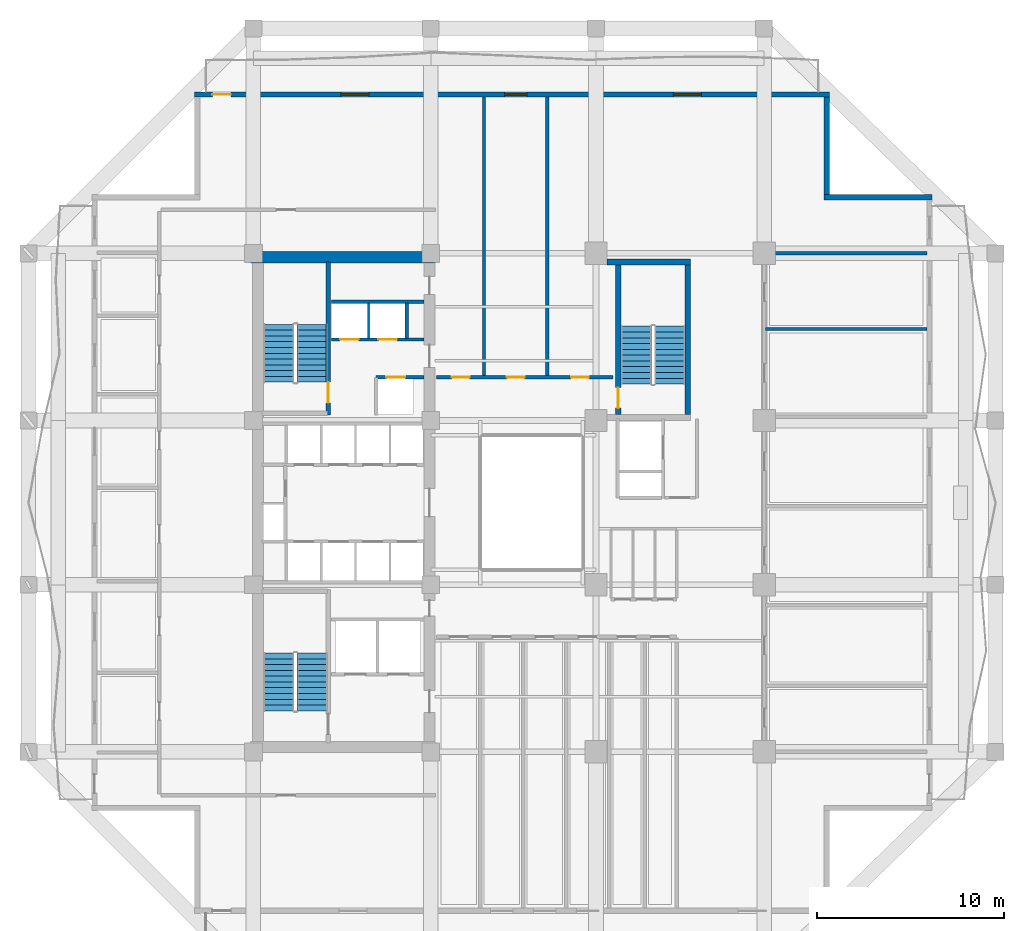
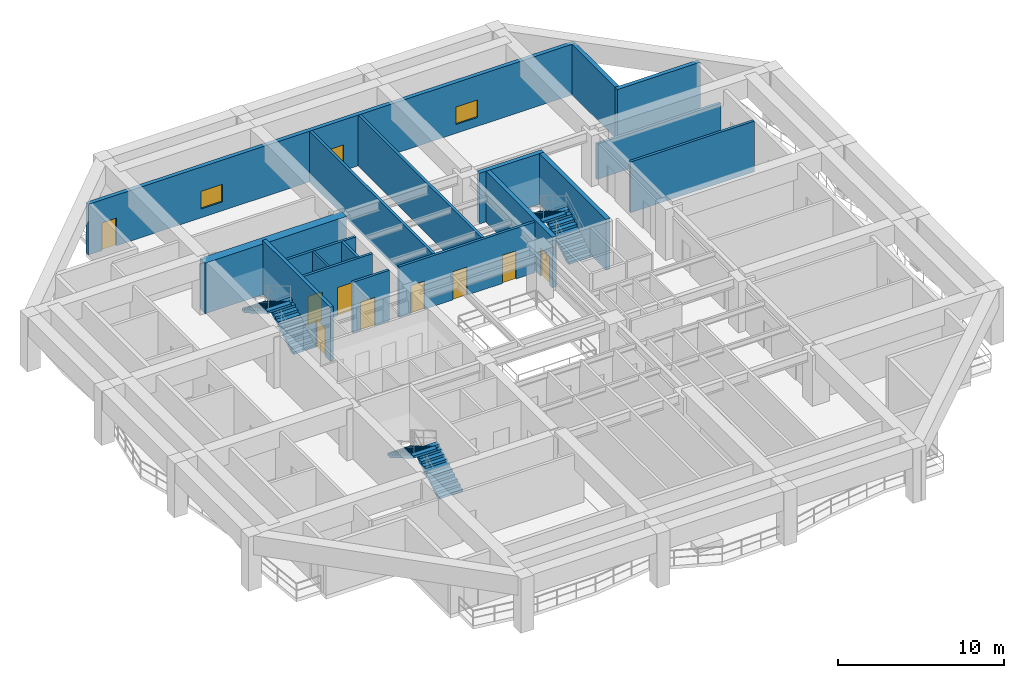
# One storey, part 6 of 13: 18 walls, 9 doors, 6 stair flights, 3 windows, 12 openings, 3 elements without a shape of their own.
"""IFC4 building model written with IfcOpenShell, lengths in metres."""

from ifc_helpers import new_model, si_unit, direction, frame, frame_2d, origin, place, context, subcontext, project, spatial, polyline, rectangle, outline, extrude, material, layer, layer_set, type_object, element, fill, aggregate, save


model = new_model("IFC4")

# Units and contexts
model_context = context("Model", 3, precision=1e-05, world=origin(), true_north=direction((0.0, 1.0)))
body_context = subcontext(model_context, "Body", "Model", "MODEL_VIEW")
ifc_project = project(units=[si_unit("LENGTHUNIT", "METRE"), si_unit("AREAUNIT", "SQUARE_METRE"), si_unit("VOLUMEUNIT", "CUBIC_METRE"), si_unit("PLANEANGLEUNIT", "RADIAN"), si_unit("MASSUNIT", "GRAM", prefix="KILO")], contexts=[model_context])

# Site, building, storey
site_placement = place(None, origin())
site = spatial("IfcSite", under=ifc_project, at=site_placement, CompositionType="ELEMENT")
building_placement = place(site_placement, origin())
building = spatial("IfcBuilding", under=site, at=building_placement, Name="Kundavana Baori Tower", CompositionType="ELEMENT")
storey_placement = place(building_placement, frame((0.0, 0.0, 78.0)))
storey = spatial("IfcBuildingStorey", under=building, at=storey_placement, Name="L18", CompositionType="ELEMENT", Elevation=78.0)

# Wall, opening, door
ifc_material_1 = material(Name="Concrete C50/60", Category="concrete")
ifc_layer_1 = layer(ifc_material_1, 0.39990234375, Name="WL-CORE-400")
ifc_layer_set_1 = layer_set([ifc_layer_1], Name="Concrete C50/60")
wall_type_1 = type_object("IfcWallType", Name="WL-CORE-400", PredefinedType="SHEAR", material=ifc_layer_set_1)
wall_1_placement = place(storey_placement, frame((19.4599609375, 33.300048828125, 0.0), z_axis=(0.0, 0.0, 1.0), x_axis=(0.0, 1.0, 0.0)))
wall_1 = element("IfcWall", 1, at=wall_1_placement, inside=storey, type_object=wall_type_1, Name="WL-L18-ST2-E", PredefinedType="SHEAR", context=body_context, shape_type="SweptSolid", body=[
    extrude(rectangle(XDim=8.179931640625, YDim=0.239990234375, at=frame_2d((4.08984375, 0.0))), origin(), (0.0, 0.0, 1.0), 4.0),
])
opening_1_placement = place(wall_1_placement, frame((0.64990234375, 0.0, 0.0)))
opening_1 = element("IfcOpeningElement", 2, at=opening_1_placement, cuts=wall_1, Name="Opening FD-110", PredefinedType="OPENING", context=body_context, shape_type="SweptSolid", body=[
    extrude(rectangle(XDim=1.10009765625, YDim=2.10009765625, at=frame_2d((0.550048828125, 1.050048828125))), frame((0.0, 0.1298828125, 0.0), z_axis=(0.0, -1.0, 0.0), x_axis=(1.0, 0.0, 0.0)), (0.0, 0.0, 1.0), 0.260009765625),
])
ifc_material_2 = material(Name="Galvanised Steel Fire-Rated Door Leaf", Category="steel")
door_type_1 = type_object("IfcDoorType", Name="DR-FD120-1100", OperationType="NOTDEFINED", PredefinedType="DOOR", material=ifc_material_2)
door_1_placement = place(opening_1_placement, origin())
door_1 = element("IfcDoor", 3, at=door_1_placement, inside=storey, type_object=door_type_1, Name="DR-L18-ST2", OperationType="SINGLE_SWING_RIGHT", OverallHeight=2.10009765625, OverallWidth=1.10009765625, PredefinedType="DOOR", context=body_context, shape_type="SweptSolid", body=[
    extrude(rectangle(XDim=1.10009765625, YDim=2.10009765625, at=frame_2d((0.550048828125, 1.050048828125))), frame((0.0, 0.02490234375, 0.0), z_axis=(0.0, -1.0, 0.0), x_axis=(1.0, 0.0, 0.0)), (0.0, 0.0, 1.0), 0.050048828125),
])
fill(opening_1, door_1)

# Walls
ifc_material_3 = material(Name="Concrete C60/75", Category="concrete")
ifc_layer_2 = layer(ifc_material_3, 0.60009765625, Name="WL-CORE-600")
ifc_layer_set_2 = layer_set([ifc_layer_2], Name="Concrete C60/75")
wall_type_2 = type_object("IfcWallType", Name="WL-CORE-600", PredefinedType="SHEAR", material=ifc_layer_set_2)
wall_2_placement = place(storey_placement, frame((15.300048828125, 41.739990234375, 0.0), z_axis=(0.0, 0.0, 1.0), x_axis=(1.0, 0.0, 0.0)))
element("IfcWall", 4, at=wall_2_placement, inside=storey, type_object=wall_type_2, Name="L18 Offset Core North Shear Wall", PredefinedType="SHEAR", context=body_context, shape_type="SweptSolid", body=[
    extrude(rectangle(XDim=9.8798828125, YDim=0.60009765625, at=frame_2d((4.93994140625, 0.0))), origin(), (0.0, 0.0, 1.0), 3.739990234375),
])
ifc_material_4 = material(Name="Red-Buff Dholpur Sandstone Cladding on Concrete C40/50", Category="masonry")
ifc_layer_3 = layer(ifc_material_4, 0.280029296875, Name="WL-EXT-SAND-280")
ifc_layer_set_3 = layer_set([ifc_layer_3], Name="Red-Buff Dholpur Sandstone Cladding on Concrete C40/50")
wall_type_3 = type_object("IfcWallType", Name="WL-EXT-SAND-280", PredefinedType="STANDARD", material=ifc_layer_set_3)
wall_3_placement = place(storey_placement, frame((51.800048828125, 44.9599609375, 0.0), z_axis=(0.0, 0.0, 1.0), x_axis=(-1.0, 0.0, 0.0)))
element("IfcWall", 5, at=wall_3_placement, inside=storey, type_object=wall_type_3, Name="L18 Exterior Insulated Facade Wall 05", PredefinedType="STANDARD", context=body_context, shape_type="SweptSolid", body=[
    extrude(rectangle(XDim=5.780029296875, YDim=0.280029296875, at=frame_2d((2.89013671875, 0.0))), origin(), (0.0, 0.0, 1.0), 3.739990234375),
])
wall_4_placement = place(storey_placement, frame((46.159912109375, 45.10009765625, 0.0), z_axis=(0.0, 0.0, 1.0), x_axis=(0.0, 1.0, 0.0)))
element("IfcWall", 6, at=wall_4_placement, inside=storey, type_object=wall_type_3, Name="L18 Exterior Insulated Facade Wall 06", PredefinedType="STANDARD", context=body_context, shape_type="SweptSolid", body=[
    extrude(rectangle(XDim=5.219970703125, YDim=0.280029296875, at=frame_2d((2.60986328125, 0.0))), origin(), (0.0, 0.0, 1.0), 3.739990234375),
])

# Wall, openings, door, windows
wall_5_placement = place(storey_placement, frame((46.300048828125, 50.4599609375, 0.0), z_axis=(0.0, 0.0, 1.0), x_axis=(-1.0, 0.0, 0.0)))
wall_5 = element("IfcWall", 7, at=wall_5_placement, inside=storey, type_object=wall_type_3, Name="L18 Exterior Insulated Facade Wall 07", PredefinedType="STANDARD", context=body_context, shape_type="SweptSolid", body=[
    extrude(rectangle(XDim=34.0, YDim=0.280029296875, at=frame_2d((17.0, 0.0))), origin(), (0.0, 0.0, 1.0), 3.739990234375),
])
opening_2_placement = place(wall_5_placement, frame((32.050048828125, 0.0, 0.0)))
opening_2 = element("IfcOpeningElement", 8, at=opening_2_placement, cuts=wall_5, Name="Opening BD-1", PredefinedType="OPENING", context=body_context, shape_type="SweptSolid", body=[
    extrude(rectangle(XDim=1.0, YDim=2.050048828125, at=frame_2d((0.5, 1.02490234375))), frame((0.0, 0.14990234375, 0.0), z_axis=(0.0, -1.0, 0.0), x_axis=(1.0, 0.0, 0.0)), (0.0, 0.0, 1.0), 0.300048828125),
])
opening_3_placement = place(wall_5_placement, frame((24.669921875, 0.0, 0.64990234375)))
opening_3 = element("IfcOpeningElement", 9, at=opening_3_placement, cuts=wall_5, Name="Opening W-11", PredefinedType="OPENING", context=body_context, shape_type="SweptSolid", body=[
    extrude(rectangle(XDim=1.5, YDim=1.300048828125, at=frame_2d((0.75, 0.64990234375))), frame((0.0, 0.14990234375, 0.0), z_axis=(0.0, -1.0, 0.0), x_axis=(1.0, 0.0, 0.0)), (0.0, 0.0, 1.0), 0.300048828125),
])
opening_4_placement = place(wall_5_placement, frame((16.199951171875, 0.0, 0.64990234375)))
opening_4 = element("IfcOpeningElement", 10, at=opening_4_placement, cuts=wall_5, Name="Opening W-12", PredefinedType="OPENING", context=body_context, shape_type="SweptSolid", body=[
    extrude(rectangle(XDim=1.199951171875, YDim=1.25, at=frame_2d((0.60009765625, 0.625))), frame((0.0, 0.14990234375, 0.0), z_axis=(0.0, -1.0, 0.0), x_axis=(1.0, 0.0, 0.0)), (0.0, 0.0, 1.0), 0.300048828125),
])
opening_5_placement = place(wall_5_placement, frame((6.85498046875, 0.0, 0.64990234375)))
opening_5 = element("IfcOpeningElement", 11, at=opening_5_placement, cuts=wall_5, Name="Opening W-11", PredefinedType="OPENING", context=body_context, shape_type="SweptSolid", body=[
    extrude(rectangle(XDim=1.5, YDim=1.300048828125, at=frame_2d((0.75, 0.64990234375))), frame((0.0, 0.14990234375, 0.0), z_axis=(0.0, -1.0, 0.0), x_axis=(1.0, 0.0, 0.0)), (0.0, 0.0, 1.0), 0.300048828125),
])
ifc_material_5 = material(Name="Architectural Patinated Bronze Metalwork")
door_type_2 = type_object("IfcDoorType", Name="DR-EXT-LOG-1000", OperationType="NOTDEFINED", PredefinedType="DOOR", material=ifc_material_5)
door_2_placement = place(opening_2_placement, frame((1.0, 0.0, 0.0), z_axis=(0.0, 0.0, 1.0), x_axis=(-1.0, 0.0, 0.0)))
door_2 = element("IfcDoor", 12, at=door_2_placement, inside=storey, type_object=door_type_2, Name="L18 Loggia Balcony Access Door N", OperationType="SINGLE_SWING_LEFT", OverallHeight=2.050048828125, OverallWidth=1.0, PredefinedType="DOOR", context=body_context, shape_type="SweptSolid", body=[
    extrude(rectangle(XDim=1.0, YDim=2.050048828125, at=frame_2d((0.5, 1.02490234375))), frame((0.0, 0.02490234375, 0.0), z_axis=(0.0, -1.0, 0.0), x_axis=(1.0, 0.0, 0.0)), (0.0, 0.0, 1.0), 0.050048828125),
])
fill(opening_2, door_2)
ifc_material_6 = material(Name="Double-Glazed Solar-Control Low-E Insulated Glass", Category="glass")
window_type_1 = type_object("IfcWindowType", Name="WIN-TRN-1200x1250", PartitioningType="SINGLE_PANEL", PredefinedType="WINDOW", material=ifc_material_6)
window_1_placement = place(opening_4_placement, origin())
window_1 = element("IfcWindow", 13, at=window_1_placement, inside=storey, type_object=window_type_1, Name="L18 Recessed Loggia Window N-2", OverallHeight=1.25, OverallWidth=1.199951171875, PartitioningType="SINGLE_PANEL", PredefinedType="WINDOW", context=body_context, shape_type="SweptSolid", body=[
    extrude(rectangle(XDim=1.199951171875, YDim=1.25, at=frame_2d((0.60009765625, 0.625))), frame((0.0, 0.030029296875, 0.0), z_axis=(0.0, -1.0, 0.0), x_axis=(1.0, 0.0, 0.0)), (0.0, 0.0, 1.0), 0.06005859375),
])
fill(opening_4, window_1)
ifc_material_7 = material(Name="Double-Glazed Solar-Control Low-E Insulated Glass", Category="glass")
window_type_2 = type_object("IfcWindowType", Name="WIN-TRN-1500x1300", PartitioningType="SINGLE_PANEL", PredefinedType="WINDOW", material=ifc_material_7)
window_2_placement = place(opening_3_placement, origin())
window_2 = element("IfcWindow", 14, at=window_2_placement, inside=storey, type_object=window_type_2, Name="L18 Recessed Loggia Window N-1", OverallHeight=1.300048828125, OverallWidth=1.5, PartitioningType="SINGLE_PANEL", PredefinedType="WINDOW", context=body_context, shape_type="SweptSolid", body=[
    extrude(rectangle(XDim=1.5, YDim=1.300048828125, at=frame_2d((0.75, 0.64990234375))), frame((0.0, 0.030029296875, 0.0), z_axis=(0.0, -1.0, 0.0), x_axis=(1.0, 0.0, 0.0)), (0.0, 0.0, 1.0), 0.06005859375),
])
fill(opening_3, window_2)
window_3_placement = place(opening_5_placement, origin())
window_3 = element("IfcWindow", 15, at=window_3_placement, inside=storey, type_object=window_type_2, Name="L18 Recessed Loggia Window N-3", OverallHeight=1.300048828125, OverallWidth=1.5, PartitioningType="SINGLE_PANEL", PredefinedType="WINDOW", context=body_context, shape_type="SweptSolid", body=[
    extrude(rectangle(XDim=1.5, YDim=1.300048828125, at=frame_2d((0.75, 0.64990234375))), frame((0.0, 0.030029296875, 0.0), z_axis=(0.0, -1.0, 0.0), x_axis=(1.0, 0.0, 0.0)), (0.0, 0.0, 1.0), 0.06005859375),
])
fill(opening_5, window_3)

# Wall
ifc_material_8 = material(Name="Acoustic Gypsum Plasterboard on Galvanised Steel Studs", Category="steel")
ifc_layer_4 = layer(ifc_material_8, 0.1201171875, Name="WL-PART-120")
ifc_layer_set_4 = layer_set([ifc_layer_4], Name="Acoustic Gypsum Plasterboard on Galvanised Steel Studs")
wall_type_4 = type_object("IfcWallType", Name="WL-PART-120", PredefinedType="PARTITIONING", material=ifc_layer_set_4)
wall_6_placement = place(storey_placement, frame((21.6201171875, 37.39990234375, 0.0), z_axis=(0.0, 0.0, 1.0), x_axis=(0.0, 1.0, 0.0)))
element("IfcWall", 16, at=wall_6_placement, inside=storey, type_object=wall_type_4, Name="WL-L18-HR-DIV1", PredefinedType="PARTITIONING", context=body_context, shape_type="SweptSolid", body=[
    extrude(rectangle(XDim=1.900146484375, YDim=0.1201171875, at=frame_2d((0.9501953125, 0.0))), origin(), (0.0, 0.0, 1.0), 3.739990234375),
])

# Wall, openings, doors
ifc_material_9 = material(Name="Autoclaved Aerated Concrete Blockwork Masonry", Category="masonry")
ifc_layer_5 = layer(ifc_material_9, 0.18505859375, Name="WL-PART-180")
ifc_layer_set_5 = layer_set([ifc_layer_5], Name="Autoclaved Aerated Concrete Blockwork Masonry")
wall_type_5 = type_object("IfcWallType", Name="WL-PART-180", PredefinedType="SOLIDWALL", material=ifc_layer_set_5)
wall_7_placement = place(storey_placement, frame((25.25, 35.320068359375, 0.0), z_axis=(0.0, 0.0, 1.0), x_axis=(1.0, 0.0, 0.0)))
wall_7 = element("IfcWall", 17, at=wall_7_placement, inside=storey, type_object=wall_type_5, Name="WL-L18-OFN", PredefinedType="SOLIDWALL", context=body_context, shape_type="SweptSolid", body=[
    extrude(rectangle(XDim=9.469970703125, YDim=0.18505859375, at=frame_2d((4.73486328125, 0.0))), origin(), (0.0, 0.0, 1.0), 3.739990234375),
])
opening_6_placement = place(wall_7_placement, frame((0.824951171875, 0.0, 0.0)))
opening_6 = element("IfcOpeningElement", 18, at=opening_6_placement, cuts=wall_7, Name="Opening ID-095", PredefinedType="OPENING", context=body_context, shape_type="SweptSolid", body=[
    extrude(rectangle(XDim=0.949951171875, YDim=2.080078125, at=frame_2d((0.47509765625, 1.0400390625))), frame((0.0, 0.1025390625, 0.0), z_axis=(0.0, -1.0, 0.0), x_axis=(1.0, 0.0, 0.0)), (0.0, 0.0, 1.0), 0.205078125),
])
opening_7_placement = place(wall_7_placement, frame((3.77490234375, 0.0, 0.0)))
opening_7 = element("IfcOpeningElement", 19, at=opening_7_placement, cuts=wall_7, Name="Opening ID-095", PredefinedType="OPENING", context=body_context, shape_type="SweptSolid", body=[
    extrude(rectangle(XDim=0.949951171875, YDim=2.080078125, at=frame_2d((0.47509765625, 1.0400390625))), frame((0.0, 0.1025390625, 0.0), z_axis=(0.0, -1.0, 0.0), x_axis=(1.0, 0.0, 0.0)), (0.0, 0.0, 1.0), 0.205078125),
])
opening_8_placement = place(wall_7_placement, frame((7.215087890625, 0.0, 0.0)))
opening_8 = element("IfcOpeningElement", 20, at=opening_8_placement, cuts=wall_7, Name="Opening ID-095", PredefinedType="OPENING", context=body_context, shape_type="SweptSolid", body=[
    extrude(rectangle(XDim=0.949951171875, YDim=2.080078125, at=frame_2d((0.47509765625, 1.0400390625))), frame((0.0, 0.1025390625, 0.0), z_axis=(0.0, -1.0, 0.0), x_axis=(1.0, 0.0, 0.0)), (0.0, 0.0, 1.0), 0.205078125),
])
ifc_material_10 = material(Name="Engineered Teak Solid-Core Timber Veneer", Category="wood")
door_type_3 = type_object("IfcDoorType", Name="DR-INT-950", OperationType="NOTDEFINED", PredefinedType="DOOR", material=ifc_material_10)
door_3_placement = place(opening_6_placement, origin())
door_3 = element("IfcDoor", 21, at=door_3_placement, inside=storey, type_object=door_type_3, Name="DR-L18-OFN1", OperationType="SINGLE_SWING_LEFT", OverallHeight=2.080078125, OverallWidth=0.949951171875, PredefinedType="DOOR", context=body_context, shape_type="SweptSolid", body=[
    extrude(rectangle(XDim=0.949951171875, YDim=2.080078125, at=frame_2d((0.47509765625, 1.0400390625))), frame((0.0, 0.02490234375, 0.0), z_axis=(0.0, -1.0, 0.0), x_axis=(1.0, 0.0, 0.0)), (0.0, 0.0, 1.0), 0.050048828125),
])
fill(opening_6, door_3)
door_4_placement = place(opening_7_placement, origin())
door_4 = element("IfcDoor", 22, at=door_4_placement, inside=storey, type_object=door_type_3, Name="DR-L18-OFN2", OperationType="SINGLE_SWING_LEFT", OverallHeight=2.080078125, OverallWidth=0.949951171875, PredefinedType="DOOR", context=body_context, shape_type="SweptSolid", body=[
    extrude(rectangle(XDim=0.949951171875, YDim=2.080078125, at=frame_2d((0.47509765625, 1.0400390625))), frame((0.0, 0.02490234375, 0.0), z_axis=(0.0, -1.0, 0.0), x_axis=(1.0, 0.0, 0.0)), (0.0, 0.0, 1.0), 0.050048828125),
])
fill(opening_7, door_4)
door_5_placement = place(opening_8_placement, origin())
door_5 = element("IfcDoor", 23, at=door_5_placement, inside=storey, type_object=door_type_3, Name="DR-L18-OFN3", OperationType="SINGLE_SWING_LEFT", OverallHeight=2.080078125, OverallWidth=0.949951171875, PredefinedType="DOOR", context=body_context, shape_type="SweptSolid", body=[
    extrude(rectangle(XDim=0.949951171875, YDim=2.080078125, at=frame_2d((0.47509765625, 1.0400390625))), frame((0.0, 0.02490234375, 0.0), z_axis=(0.0, -1.0, 0.0), x_axis=(1.0, 0.0, 0.0)), (0.0, 0.0, 1.0), 0.050048828125),
])
fill(opening_8, door_5)

# Walls
wall_8_placement = place(storey_placement, frame((42.8798828125, 41.949951171875, 0.0), z_axis=(0.0, 0.0, 1.0), x_axis=(1.0, 0.0, 0.0)))
element("IfcWall", 24, at=wall_8_placement, inside=storey, type_object=wall_type_5, Name="WL-L18-OFEN", PredefinedType="SOLIDWALL", context=body_context, shape_type="SweptSolid", body=[
    extrude(rectangle(XDim=8.64013671875, YDim=0.18505859375, at=frame_2d((4.320068359375, 0.0))), origin(), (0.0, 0.0, 1.0), 2.60009765625),
])
wall_9_placement = place(storey_placement, frame((42.8798828125, 37.89990234375, 0.0), z_axis=(0.0, 0.0, 1.0), x_axis=(1.0, 0.0, 0.0)))
element("IfcWall", 25, at=wall_9_placement, inside=storey, type_object=wall_type_5, Name="WL-L18-ED5", PredefinedType="SOLIDWALL", context=body_context, shape_type="SweptSolid", body=[
    extrude(rectangle(XDim=8.64013671875, YDim=0.18505859375, at=frame_2d((4.320068359375, 0.0))), origin(), (0.0, 0.0, 1.0), 3.739990234375),
])
for number, where, z_axis, x_axis, name in (
    (26, (27.800048828125, 35.39990234375, 0.0), (0.0, 0.0, 1.0), (0.0, 1.0, 0.0), "WL-L18-ND1"),
    (27, (31.199951171875, 35.39990234375, 0.0), (0.0, 0.0, 1.0), (0.0, 1.0, 0.0), "WL-L18-ND2"),
):
    element("IfcWall", number, at=place(storey_placement, frame(where, z_axis=z_axis, x_axis=x_axis)), inside=storey, type_object=wall_type_5, Name=name, PredefinedType="SOLIDWALL", context=body_context, shape_type="SweptSolid", body=[
        extrude(rectangle(XDim=14.920166015625, YDim=0.18505859375, at=frame_2d((7.4599609375, 0.0))), origin(), (0.0, 0.0, 1.0), 3.739990234375),
    ])

# Wall, opening, door
ifc_material_11 = material(Name="Autoclaved Aerated Concrete Blockwork Masonry", Category="masonry")
ifc_layer_6 = layer(ifc_material_11, 0.179931640625, Name="WL-SHAFT-180")
ifc_layer_set_6 = layer_set([ifc_layer_6], Name="Autoclaved Aerated Concrete Blockwork Masonry")
wall_type_6 = type_object("IfcWallType", Name="WL-SHAFT-180", PredefinedType="SOLIDWALL", material=ifc_layer_set_6)
wall_10_placement = place(storey_placement, frame((22.02001953125, 35.31005859375, 0.0), z_axis=(0.0, 0.0, 1.0), x_axis=(1.0, 0.0, 0.0)))
wall_10 = element("IfcWall", 28, at=wall_10_placement, inside=storey, type_object=wall_type_6, Name="WL-L18-LP11-N", PredefinedType="SOLIDWALL", context=body_context, shape_type="SweptSolid", body=[
    extrude(rectangle(XDim=2.56005859375, YDim=0.179931640625, at=frame_2d((1.280029296875, 0.0))), origin(), (0.0, 0.0, 1.0), 3.739990234375),
])
opening_9_placement = place(wall_10_placement, frame((0.550048828125, 0.0, 0.0)))
opening_9 = element("IfcOpeningElement", 29, at=opening_9_placement, cuts=wall_10, Name="Opening LD-100", PredefinedType="OPENING", context=body_context, shape_type="SweptSolid", body=[
    extrude(rectangle(XDim=1.0, YDim=2.10009765625, at=frame_2d((0.5, 1.050048828125))), frame((0.0, 0.10009765625, 0.0), z_axis=(0.0, -1.0, 0.0), x_axis=(1.0, 0.0, 0.0)), (0.0, 0.0, 1.0), 0.199951171875),
])
ifc_material_12 = material(Name="Galvanised Steel Fire-Rated Door Leaf", Category="steel")
door_type_4 = type_object("IfcDoorType", Name="DR-SLIDE-LD1000", OperationType="NOTDEFINED", PredefinedType="DOOR", material=ifc_material_12)
door_6_placement = place(opening_9_placement, origin())
door_6 = element("IfcDoor", 30, at=door_6_placement, inside=storey, type_object=door_type_4, Name="DR-L18-LD-LP11", OperationType="DOUBLE_DOOR_SLIDING", OverallHeight=2.10009765625, OverallWidth=1.0, PredefinedType="DOOR", context=body_context, shape_type="SweptSolid", body=[
    extrude(rectangle(XDim=1.0, YDim=2.10009765625, at=frame_2d((0.5, 1.050048828125))), frame((0.0, 0.02490234375, 0.0), z_axis=(0.0, -1.0, 0.0), x_axis=(1.0, 0.0, 0.0)), (0.0, 0.0, 1.0), 0.050048828125),
])
fill(opening_9, door_6)

# Wall, openings, doors
wall_11_placement = place(storey_placement, frame((19.639892578125, 37.340087890625, 0.0), z_axis=(0.0, 0.0, 1.0), x_axis=(1.0, 0.0, 0.0)))
wall_11 = element("IfcWall", 31, at=wall_11_placement, inside=storey, type_object=wall_type_6, Name="WL-L18-HRLOB-N", PredefinedType="SOLIDWALL", context=body_context, shape_type="SweptSolid", body=[
    extrude(rectangle(XDim=4.940185546875, YDim=0.179931640625, at=frame_2d((2.47021484375, 0.0))), origin(), (0.0, 0.0, 1.0), 3.739990234375),
])
opening_10_placement = place(wall_11_placement, frame((0.449951171875, 0.0, 0.0)))
opening_10 = element("IfcOpeningElement", 32, at=opening_10_placement, cuts=wall_11, Name="Opening LD-100", PredefinedType="OPENING", context=body_context, shape_type="SweptSolid", body=[
    extrude(rectangle(XDim=1.0, YDim=2.10009765625, at=frame_2d((0.5, 1.050048828125))), frame((0.0, 0.10009765625, 0.0), z_axis=(0.0, -1.0, 0.0), x_axis=(1.0, 0.0, 0.0)), (0.0, 0.0, 1.0), 0.199951171875),
])
opening_11_placement = place(wall_11_placement, frame((2.5, 0.0, 0.0)))
opening_11 = element("IfcOpeningElement", 33, at=opening_11_placement, cuts=wall_11, Name="Opening LD-100", PredefinedType="OPENING", context=body_context, shape_type="SweptSolid", body=[
    extrude(rectangle(XDim=1.0, YDim=2.10009765625, at=frame_2d((0.5, 1.050048828125))), frame((0.0, 0.10009765625, 0.0), z_axis=(0.0, -1.0, 0.0), x_axis=(1.0, 0.0, 0.0)), (0.0, 0.0, 1.0), 0.199951171875),
])
door_7_placement = place(opening_10_placement, frame((1.0, 0.0, 0.0), z_axis=(0.0, 0.0, 1.0), x_axis=(-1.0, 0.0, 0.0)))
door_7 = element("IfcDoor", 34, at=door_7_placement, inside=storey, type_object=door_type_4, Name="DR-L18-LD-LP09", OperationType="DOUBLE_DOOR_SLIDING", OverallHeight=2.10009765625, OverallWidth=1.0, PredefinedType="DOOR", context=body_context, shape_type="SweptSolid", body=[
    extrude(rectangle(XDim=1.0, YDim=2.10009765625, at=frame_2d((0.5, 1.050048828125))), frame((0.0, 0.02490234375, 0.0), z_axis=(0.0, -1.0, 0.0), x_axis=(1.0, 0.0, 0.0)), (0.0, 0.0, 1.0), 0.050048828125),
])
fill(opening_10, door_7)
door_8_placement = place(opening_11_placement, frame((1.0, 0.0, 0.0), z_axis=(0.0, 0.0, 1.0), x_axis=(-1.0, 0.0, 0.0)))
door_8 = element("IfcDoor", 35, at=door_8_placement, inside=storey, type_object=door_type_4, Name="DR-L18-LD-LP10", OperationType="DOUBLE_DOOR_SLIDING", OverallHeight=2.10009765625, OverallWidth=1.0, PredefinedType="DOOR", context=body_context, shape_type="SweptSolid", body=[
    extrude(rectangle(XDim=1.0, YDim=2.10009765625, at=frame_2d((0.5, 1.050048828125))), frame((0.0, 0.02490234375, 0.0), z_axis=(0.0, -1.0, 0.0), x_axis=(1.0, 0.0, 0.0)), (0.0, 0.0, 1.0), 0.050048828125),
])
fill(opening_11, door_8)

# Walls
wall_12_placement = place(storey_placement, frame((19.639892578125, 39.360107421875, 0.0), z_axis=(0.0, 0.0, 1.0), x_axis=(1.0, 0.0, 0.0)))
element("IfcWall", 36, at=wall_12_placement, inside=storey, type_object=wall_type_6, Name="WL-L18-HRLOB-TOP", PredefinedType="SOLIDWALL", context=body_context, shape_type="SweptSolid", body=[
    extrude(rectangle(XDim=4.940185546875, YDim=0.179931640625, at=frame_2d((2.47021484375, 0.0))), origin(), (0.0, 0.0, 1.0), 3.739990234375),
])
wall_13_placement = place(storey_placement, frame((23.659912109375, 37.39990234375, 0.0), z_axis=(0.0, 0.0, 1.0), x_axis=(0.0, 1.0, 0.0)))
element("IfcWall", 37, at=wall_13_placement, inside=storey, type_object=wall_type_6, Name="WL-L18-HR-DIV2", PredefinedType="SOLIDWALL", context=body_context, shape_type="SweptSolid", body=[
    extrude(rectangle(XDim=1.900146484375, YDim=0.179931640625, at=frame_2d((0.9501953125, 0.0))), origin(), (0.0, 0.0, 1.0), 3.739990234375),
])
ifc_material_13 = material(Name="Concrete C50/60", Category="concrete")
ifc_layer_7 = layer(ifc_material_13, 0.300048828125, Name="WL-ST3-300")
ifc_layer_set_7 = layer_set([ifc_layer_7], Name="Concrete C50/60")
wall_type_7 = type_object("IfcWallType", Name="WL-ST3-300", PredefinedType="SHEAR", material=ifc_layer_set_7)
wall_14_placement = place(storey_placement, frame((34.39990234375, 41.489990234375, 0.0), z_axis=(0.0, 0.0, 1.0), x_axis=(1.0, 0.0, 0.0)))
element("IfcWall", 38, at=wall_14_placement, inside=storey, type_object=wall_type_7, Name="L18 Stair ST3 North Shear Wall", PredefinedType="SHEAR", context=body_context, shape_type="SweptSolid", body=[
    extrude(rectangle(XDim=4.47021484375, YDim=0.300048828125, at=frame_2d((2.235107421875, 0.0))), origin(), (0.0, 0.0, 1.0), 3.739990234375),
])

# Wall, opening, door
wall_15_placement = place(storey_placement, frame((34.97998046875, 33.31005859375, 0.0), z_axis=(0.0, 0.0, 1.0), x_axis=(0.0, 1.0, 0.0)))
wall_15 = element("IfcWall", 39, at=wall_15_placement, inside=storey, type_object=wall_type_7, Name="L18 Stair ST3 West Shear Wall", PredefinedType="SHEAR", context=body_context, shape_type="SweptSolid", body=[
    extrude(rectangle(XDim=8.030029296875, YDim=0.300048828125, at=frame_2d((4.01513671875, 0.0))), origin(), (0.0, 0.0, 1.0), 3.739990234375),
])
opening_12_placement = place(wall_15_placement, frame((0.35009765625, 0.0, 0.0)))
opening_12 = element("IfcOpeningElement", 40, at=opening_12_placement, cuts=wall_15, Name="Opening FD-110", PredefinedType="OPENING", context=body_context, shape_type="SweptSolid", body=[
    extrude(rectangle(XDim=1.10009765625, YDim=2.10009765625, at=frame_2d((0.550048828125, 1.050048828125))), frame((0.0, 0.16015625, 0.0), z_axis=(0.0, -1.0, 0.0), x_axis=(1.0, 0.0, 0.0)), (0.0, 0.0, 1.0), 0.320068359375),
])
door_9_placement = place(opening_12_placement, origin())
door_9 = element("IfcDoor", 41, at=door_9_placement, inside=storey, type_object=door_type_1, Name="DR-L18-ST3-W", OperationType="SINGLE_SWING_LEFT", OverallHeight=2.10009765625, OverallWidth=1.10009765625, PredefinedType="DOOR", context=body_context, shape_type="SweptSolid", body=[
    extrude(rectangle(XDim=1.10009765625, YDim=2.10009765625, at=frame_2d((0.550048828125, 1.050048828125))), frame((0.0, 0.02490234375, 0.0), z_axis=(0.0, -1.0, 0.0), x_axis=(1.0, 0.0, 0.0)), (0.0, 0.0, 1.0), 0.050048828125),
])
fill(opening_12, door_9)

# Wall
wall_16_placement = place(storey_placement, frame((38.719970703125, 33.31005859375, 0.0), z_axis=(0.0, 0.0, 1.0), x_axis=(0.0, 1.0, 0.0)))
element("IfcWall", 42, at=wall_16_placement, inside=storey, type_object=wall_type_7, Name="L18 Stair ST3 East Shear Wall", PredefinedType="SHEAR", context=body_context, shape_type="SweptSolid", body=[
    extrude(rectangle(XDim=8.030029296875, YDim=0.300048828125, at=frame_2d((4.01513671875, 0.0))), origin(), (0.0, 0.0, 1.0), 3.739990234375),
])

# Stair, stair flights
ifc_material_14 = material(Name="Concrete C40/50", Category="concrete")
stair_type = type_object("IfcStairType", Name="STR-DOG-1650", PredefinedType="HALF_TURN_STAIR", material=ifc_material_14)
stair_1_placement = place(storey_placement, origin())
stair_1 = element("IfcStair", 43, at=stair_1_placement, inside=storey, type_object=stair_type, Name="L18 Protected Exit Stair ST1", PredefinedType="HALF_TURN_STAIR")
ifc_material_15 = material(Name="Concrete C40/50", Category="concrete")
stair_flight_type = type_object("IfcStairFlightType", Name="SFL-RC-1650", PredefinedType="STRAIGHT", material=ifc_material_15)
stair_flight_1_placement = place(storey_placement, frame((18.614990234375, 17.449951171875, 0.0), z_axis=(0.0, 0.0, 1.0), x_axis=(0.0, 1.0, 0.0)))
stair_flight_1 = element("IfcStairFlight", 44, at=stair_flight_1_placement, type_object=stair_flight_type, Name="ST1 flight 1", NumberOfRisers=11, NumberOfTreads=10, PredefinedType="STRAIGHT", RiserHeight=0.181818182, TreadLength=0.31, context=body_context, shape_type="SweptSolid", body=[
    extrude(outline(polyline([(0.0, 0.0), (0.0, 0.181884765625), (0.31005859375, 0.181884765625), (0.31005859375, 0.363525390625), (0.6201171875, 0.363525390625), (0.6201171875, 0.54541015625), (0.929931640625, 0.54541015625), (0.929931640625, 0.727294921875), (1.239990234375, 0.727294921875), (1.239990234375, 0.9091796875), (1.550048828125, 0.9091796875), (1.550048828125, 1.0908203125), (1.860107421875, 1.0908203125), (1.860107421875, 1.272705078125), (2.169921875, 1.272705078125), (2.169921875, 1.45458984375), (2.47998046875, 1.45458984375), (2.47998046875, 1.636474609375), (2.7900390625, 1.636474609375), (2.7900390625, 1.818115234375), (3.10009765625, 1.818115234375), (3.10009765625, 2.0), (3.10009765625, 1.644287109375), (0.29638671875, 0.0), (0.0, 0.0)])), frame((0.0, 0.824951171875, 0.0), z_axis=(0.0, -1.0, 0.0), x_axis=(1.0, 0.0, 0.0)), (0.0, 0.0, 1.0), 1.64990234375),
])
stair_flight_2_placement = place(storey_placement, frame((16.804931640625, 20.550048828125, 2.0), z_axis=(0.0, 0.0, 1.0), x_axis=(0.0, -1.0, 0.0)))
stair_flight_2 = element("IfcStairFlight", 45, at=stair_flight_2_placement, type_object=stair_flight_type, Name="ST1 flight 2", NumberOfRisers=11, NumberOfTreads=10, PredefinedType="STRAIGHT", RiserHeight=0.181818182, TreadLength=0.31, context=body_context, shape_type="SweptSolid", body=[
    extrude(outline(polyline([(0.0, 0.0), (0.0, 0.181884765625), (0.31005859375, 0.181884765625), (0.31005859375, 0.363525390625), (0.6201171875, 0.363525390625), (0.6201171875, 0.54541015625), (0.929931640625, 0.54541015625), (0.929931640625, 0.727294921875), (1.239990234375, 0.727294921875), (1.239990234375, 0.9091796875), (1.550048828125, 0.9091796875), (1.550048828125, 1.0908203125), (1.860107421875, 1.0908203125), (1.860107421875, 1.272705078125), (2.169921875, 1.272705078125), (2.169921875, 1.45458984375), (2.47998046875, 1.45458984375), (2.47998046875, 1.636474609375), (2.7900390625, 1.636474609375), (2.7900390625, 1.818115234375), (3.10009765625, 1.818115234375), (3.10009765625, 2.0), (3.10009765625, 1.644287109375), (0.29638671875, 0.0), (0.0, 0.0)])), frame((0.0, 0.824951171875, 0.0), z_axis=(0.0, -1.0, 0.0), x_axis=(1.0, 0.0, 0.0)), (0.0, 0.0, 1.0), 1.64990234375),
])
aggregate(stair_1, [stair_flight_1, stair_flight_2])

stair_2_placement = place(storey_placement, origin())
stair_2 = element("IfcStair", 46, at=stair_2_placement, inside=storey, type_object=stair_type, Name="L18 Protected Exit Stair ST2", PredefinedType="HALF_TURN_STAIR")
stair_flight_3_placement = place(storey_placement, frame((18.614990234375, 35.050048828125, 0.0), z_axis=(0.0, 0.0, 1.0), x_axis=(0.0, 1.0, 0.0)))
stair_flight_3 = element("IfcStairFlight", 47, at=stair_flight_3_placement, type_object=stair_flight_type, Name="ST2 flight 1", NumberOfRisers=11, NumberOfTreads=10, PredefinedType="STRAIGHT", RiserHeight=0.181818182, TreadLength=0.31, context=body_context, shape_type="SweptSolid", body=[
    extrude(outline(polyline([(0.0, 0.0), (0.0, 0.181884765625), (0.31005859375, 0.181884765625), (0.31005859375, 0.363525390625), (0.6201171875, 0.363525390625), (0.6201171875, 0.54541015625), (0.929931640625, 0.54541015625), (0.929931640625, 0.727294921875), (1.239990234375, 0.727294921875), (1.239990234375, 0.9091796875), (1.550048828125, 0.9091796875), (1.550048828125, 1.0908203125), (1.860107421875, 1.0908203125), (1.860107421875, 1.272705078125), (2.169921875, 1.272705078125), (2.169921875, 1.45458984375), (2.47998046875, 1.45458984375), (2.47998046875, 1.636474609375), (2.7900390625, 1.636474609375), (2.7900390625, 1.818115234375), (3.10009765625, 1.818115234375), (3.10009765625, 2.0), (3.10009765625, 1.644287109375), (0.29638671875, 0.0), (0.0, 0.0)])), frame((0.0, 0.824951171875, 0.0), z_axis=(0.0, -1.0, 0.0), x_axis=(1.0, 0.0, 0.0)), (0.0, 0.0, 1.0), 1.64990234375),
])
stair_flight_4_placement = place(storey_placement, frame((16.804931640625, 38.14990234375, 2.0), z_axis=(0.0, 0.0, 1.0), x_axis=(0.0, -1.0, 0.0)))
stair_flight_4 = element("IfcStairFlight", 48, at=stair_flight_4_placement, type_object=stair_flight_type, Name="ST2 flight 2", NumberOfRisers=11, NumberOfTreads=10, PredefinedType="STRAIGHT", RiserHeight=0.181818182, TreadLength=0.31, context=body_context, shape_type="SweptSolid", body=[
    extrude(outline(polyline([(0.0, 0.0), (0.0, 0.181884765625), (0.31005859375, 0.181884765625), (0.31005859375, 0.363525390625), (0.6201171875, 0.363525390625), (0.6201171875, 0.54541015625), (0.929931640625, 0.54541015625), (0.929931640625, 0.727294921875), (1.239990234375, 0.727294921875), (1.239990234375, 0.9091796875), (1.550048828125, 0.9091796875), (1.550048828125, 1.0908203125), (1.860107421875, 1.0908203125), (1.860107421875, 1.272705078125), (2.169921875, 1.272705078125), (2.169921875, 1.45458984375), (2.47998046875, 1.45458984375), (2.47998046875, 1.636474609375), (2.7900390625, 1.636474609375), (2.7900390625, 1.818115234375), (3.10009765625, 1.818115234375), (3.10009765625, 2.0), (3.10009765625, 1.644287109375), (0.29638671875, 0.0), (0.0, 0.0)])), frame((0.0, 0.824951171875, 0.0), z_axis=(0.0, -1.0, 0.0), x_axis=(1.0, 0.0, 0.0)), (0.0, 0.0, 1.0), 1.64990234375),
])
aggregate(stair_2, [stair_flight_3, stair_flight_4])

stair_3_placement = place(storey_placement, origin())
stair_3 = element("IfcStair", 49, at=stair_3_placement, inside=storey, type_object=stair_type, Name="L18 Protected Exit Stair ST3", PredefinedType="HALF_TURN_STAIR")
stair_flight_5_placement = place(storey_placement, frame((37.7548828125, 34.949951171875, 0.0), z_axis=(0.0, 0.0, 1.0), x_axis=(0.0, 1.0, 0.0)))
stair_flight_5 = element("IfcStairFlight", 50, at=stair_flight_5_placement, type_object=stair_flight_type, Name="ST3 flight 1", NumberOfRisers=11, NumberOfTreads=10, PredefinedType="STRAIGHT", RiserHeight=0.181818182, TreadLength=0.31, context=body_context, shape_type="SweptSolid", body=[
    extrude(outline(polyline([(0.0, 0.0), (0.0, 0.181884765625), (0.31005859375, 0.181884765625), (0.31005859375, 0.363525390625), (0.6201171875, 0.363525390625), (0.6201171875, 0.54541015625), (0.929931640625, 0.54541015625), (0.929931640625, 0.727294921875), (1.239990234375, 0.727294921875), (1.239990234375, 0.9091796875), (1.550048828125, 0.9091796875), (1.550048828125, 1.0908203125), (1.860107421875, 1.0908203125), (1.860107421875, 1.272705078125), (2.169921875, 1.272705078125), (2.169921875, 1.45458984375), (2.47998046875, 1.45458984375), (2.47998046875, 1.636474609375), (2.7900390625, 1.636474609375), (2.7900390625, 1.818115234375), (3.10009765625, 1.818115234375), (3.10009765625, 2.0), (3.10009765625, 1.644287109375), (0.29638671875, 0.0), (0.0, 0.0)])), frame((0.0, 0.824951171875, 0.0), z_axis=(0.0, -1.0, 0.0), x_axis=(1.0, 0.0, 0.0)), (0.0, 0.0, 1.0), 1.64990234375),
])
stair_flight_6_placement = place(storey_placement, frame((35.945068359375, 38.050048828125, 2.0), z_axis=(0.0, 0.0, 1.0), x_axis=(0.0, -1.0, 0.0)))
stair_flight_6 = element("IfcStairFlight", 51, at=stair_flight_6_placement, type_object=stair_flight_type, Name="ST3 flight 2", NumberOfRisers=11, NumberOfTreads=10, PredefinedType="STRAIGHT", RiserHeight=0.181818182, TreadLength=0.31, context=body_context, shape_type="SweptSolid", body=[
    extrude(outline(polyline([(0.0, 0.0), (0.0, 0.181884765625), (0.31005859375, 0.181884765625), (0.31005859375, 0.363525390625), (0.6201171875, 0.363525390625), (0.6201171875, 0.54541015625), (0.929931640625, 0.54541015625), (0.929931640625, 0.727294921875), (1.239990234375, 0.727294921875), (1.239990234375, 0.9091796875), (1.550048828125, 0.9091796875), (1.550048828125, 1.0908203125), (1.860107421875, 1.0908203125), (1.860107421875, 1.272705078125), (2.169921875, 1.272705078125), (2.169921875, 1.45458984375), (2.47998046875, 1.45458984375), (2.47998046875, 1.636474609375), (2.7900390625, 1.636474609375), (2.7900390625, 1.818115234375), (3.10009765625, 1.818115234375), (3.10009765625, 2.0), (3.10009765625, 1.644287109375), (0.29638671875, 0.0), (0.0, 0.0)])), frame((0.0, 0.824951171875, 0.0), z_axis=(0.0, -1.0, 0.0), x_axis=(1.0, 0.0, 0.0)), (0.0, 0.0, 1.0), 1.64990234375),
])
aggregate(stair_3, [stair_flight_5, stair_flight_6])

save(model, "model.ifc")
